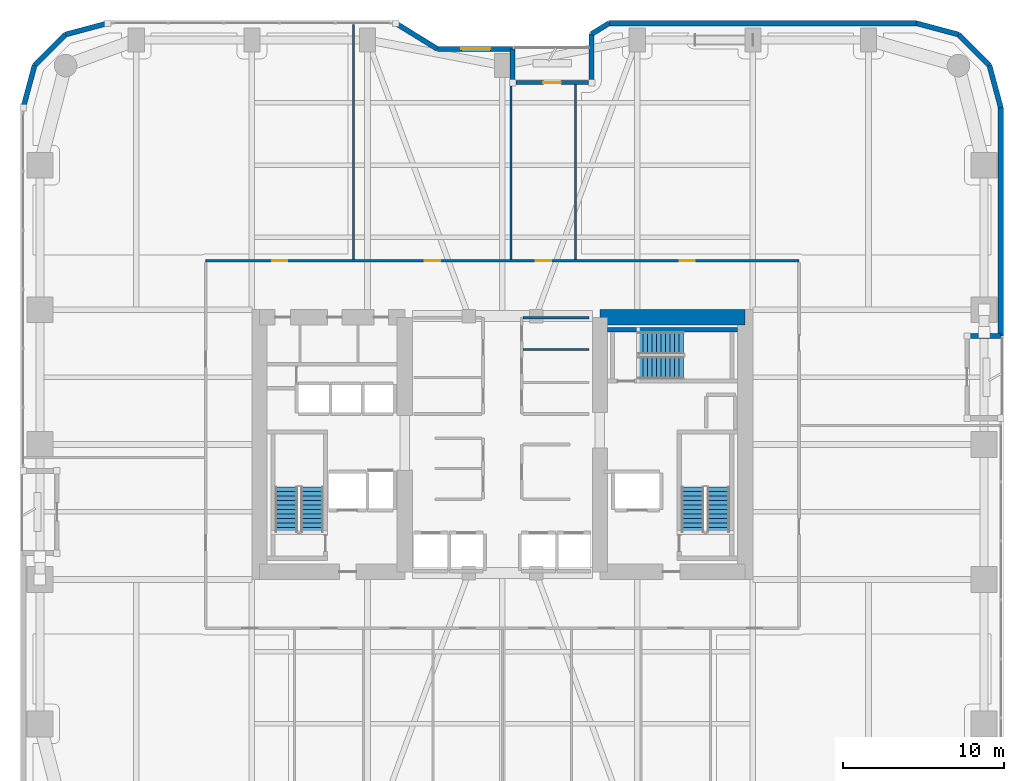
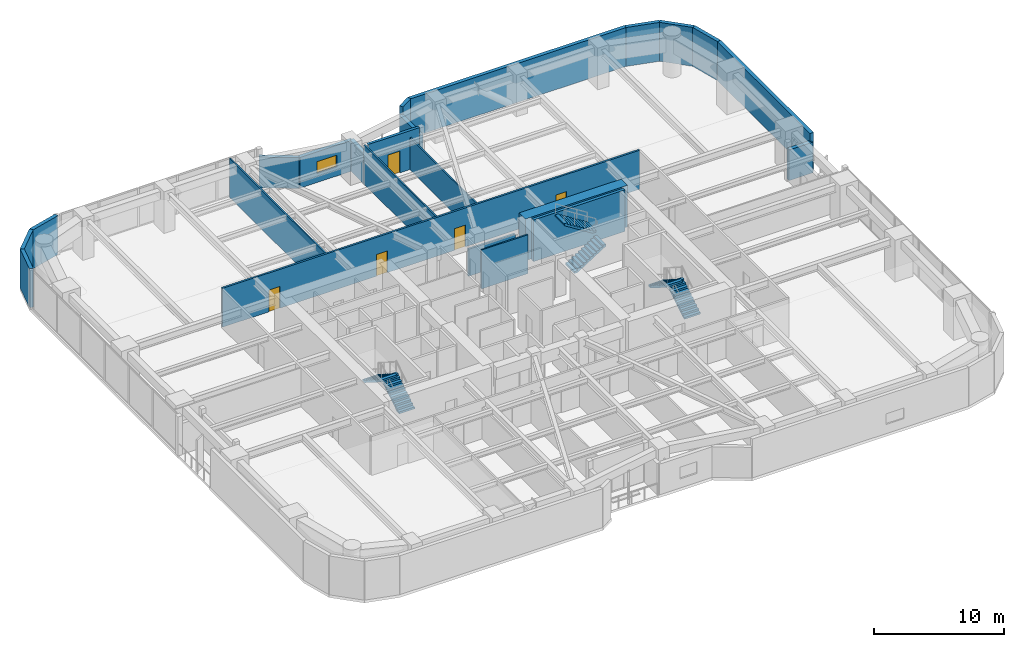
# One storey, part 25 of 28: 23 walls, 6 stair flights, 5 doors, 1 window, 6 openings, 3 elements without a shape of their own.
"""IFC4 building model written with IfcOpenShell, lengths in metres."""

from ifc_helpers import new_model, si_unit, direction, frame, frame_2d, origin, place, context, subcontext, project, spatial, polyline, rectangle, outline, extrude, material, layer, layer_set, type_object, element, fill, aggregate, save


model = new_model("IFC4")

# Units and contexts
model_context = context("Model", 3, precision=1e-05, world=origin(), true_north=direction((0.0, 1.0)))
body_context = subcontext(model_context, "Body", "Model", "MODEL_VIEW")
ifc_project = project(units=[si_unit("LENGTHUNIT", "METRE"), si_unit("AREAUNIT", "SQUARE_METRE"), si_unit("VOLUMEUNIT", "CUBIC_METRE"), si_unit("PLANEANGLEUNIT", "RADIAN"), si_unit("MASSUNIT", "GRAM", prefix="KILO")], contexts=[model_context])

# Site, building, storey
site_placement = place(None, origin())
site = spatial("IfcSite", under=ifc_project, at=site_placement, CompositionType="ELEMENT")
building_placement = place(site_placement, origin())
building = spatial("IfcBuilding", under=site, at=building_placement, Name="Kiyonajd Concourse Tower", CompositionType="ELEMENT")
storey_placement = place(building_placement, frame((0.0, 0.0, 56.699951171875)))
storey = spatial("IfcBuildingStorey", under=building, at=storey_placement, Name="L15", CompositionType="ELEMENT", Elevation=56.699951171875)

# Walls
ifc_material_1 = material(Name="Concrete C80/95", Category="concrete")
ifc_layer_1 = layer(ifc_material_1, 0.949951171875)
ifc_layer_set_1 = layer_set([ifc_layer_1], Name="Concrete C80/95")
wall_type_1 = type_object("IfcWallType", Name="WL-CORE-950", PredefinedType="SHEAR", material=ifc_layer_set_1)
wall_1_placement = place(storey_placement, frame((54.074951171875, 43.925048828125, 0.0), z_axis=(0.0, 0.0, 1.0), x_axis=(1.0, 0.0, 0.0)))
element("IfcWall", 1, at=wall_1_placement, inside=storey, type_object=wall_type_1, Name="L15 East Core North Shear Wall", PredefinedType="SHEAR", context=body_context, shape_type="SweptSolid", body=[
    extrude(rectangle(XDim=9.050048828125, YDim=0.949951171875, at=frame_2d((4.52490234375, 0.0))), origin(), (0.0, 0.0, 1.0), 3.900146484375),
])
ifc_material_2 = material(Name="Precast concrete C50/60", Category="concrete")
ifc_layer_2 = layer(ifc_material_2, 0.320068359375)
ifc_layer_set_2 = layer_set([ifc_layer_2], Name="Precast concrete C50/60")
wall_type_2 = type_object("IfcWallType", Name="WL-EXT-320", PredefinedType="SOLIDWALL", material=ifc_layer_set_2)
wall_2_placement = place(storey_placement, frame((18.159912109375, 56.97900390625, 0.0), z_axis=(0.0, 0.0, 1.0), x_axis=(0.25869736047, 0.965958423373, 0.0)))
element("IfcWall", 2, at=wall_2_placement, inside=storey, type_object=wall_type_2, Name="L15 Exterior Concrete Frame Wall 06", PredefinedType="SOLIDWALL", context=body_context, shape_type="SweptSolid", body=[
    extrude(rectangle(XDim=2.731201171875, YDim=0.320068359375, at=frame_2d((1.36572265625, 0.0))), origin(), (0.0, 0.0, 1.0), 3.64013671875),
])
wall_3_placement = place(storey_placement, frame((18.866455078125, 59.6171875, 0.0), z_axis=(0.0, 0.0, 1.0), x_axis=(0.707106781187, 0.707106781187, 0.0)))
element("IfcWall", 3, at=wall_3_placement, inside=storey, type_object=wall_type_2, Name="L15 Exterior Concrete Frame Wall 07", PredefinedType="SOLIDWALL", context=body_context, shape_type="SweptSolid", body=[
    extrude(rectangle(XDim=2.7099609375, YDim=0.320068359375, at=frame_2d((1.35498046875, 0.0))), origin(), (0.0, 0.0, 1.0), 3.64013671875),
])
wall_4_placement = place(storey_placement, frame((20.78271484375, 61.533447265625, 0.0), z_axis=(0.0, 0.0, 1.0), x_axis=(0.965964405026, 0.25867502435, 0.0)))
element("IfcWall", 4, at=wall_4_placement, inside=storey, type_object=wall_type_2, Name="L15 Exterior Concrete Frame Wall 08", PredefinedType="SOLIDWALL", context=body_context, shape_type="SweptSolid", body=[
    extrude(rectangle(XDim=2.7314453125, YDim=0.320068359375, at=frame_2d((1.36572265625, 0.0))), origin(), (0.0, 0.0, 1.0), 3.64013671875),
])
wall_5_placement = place(storey_placement, frame((41.354736328125, 62.239990234375, 0.0), z_axis=(0.0, 0.0, 1.0), x_axis=(0.851630857047, -0.524142044989, 0.0)))
element("IfcWall", 5, at=wall_5_placement, inside=storey, type_object=wall_type_2, Name="L15 Exterior Concrete Frame Wall 10", PredefinedType="SOLIDWALL", context=body_context, shape_type="SweptSolid", body=[
    extrude(rectangle(XDim=3.052734375, YDim=0.320068359375, at=frame_2d((1.5263671875, 0.0))), origin(), (0.0, 0.0, 1.0), 2.875),
])

# Wall, opening, window
wall_6_placement = place(storey_placement, frame((43.95458984375, 60.639892578125, 0.0), z_axis=(0.0, 0.0, 1.0), x_axis=(1.0, 0.0, 0.0)))
wall_6 = element("IfcWall", 6, at=wall_6_placement, inside=storey, type_object=wall_type_2, Name="L15 Exterior Concrete Frame Wall 11", PredefinedType="SOLIDWALL", context=body_context, shape_type="SweptSolid", body=[
    extrude(rectangle(XDim=4.685302734375, YDim=0.320068359375, at=frame_2d((2.3427734375, 0.0))), origin(), (0.0, 0.0, 1.0), 2.875),
])
opening_1_placement = place(wall_6_placement, frame((1.492919921875, 0.0, 0.85009765625)))
opening_1 = element("IfcOpeningElement", 7, at=opening_1_placement, cuts=wall_6, Name="Opening WN1", PredefinedType="OPENING", context=body_context, shape_type="SweptSolid", body=[
    extrude(rectangle(XDim=1.800048828125, YDim=1.10009765625, at=frame_2d((0.89990234375, 0.550048828125))), frame((0.0, 0.169921875, 0.0), z_axis=(0.0, -1.0, 0.0), x_axis=(1.0, 0.0, 0.0)), (0.0, 0.0, 1.0), 0.340087890625),
])
ifc_material_3 = material(Name="Double Low-E Insulated Glass", Category="glass")
window_type = type_object("IfcWindowType", Name="WN-VIS-1800x1100", PartitioningType="SINGLE_PANEL", PredefinedType="WINDOW", material=ifc_material_3)
window_placement = place(opening_1_placement, origin())
window = element("IfcWindow", 8, at=window_placement, inside=storey, type_object=window_type, Name="L15 Modular Facade Vision Window 11", OverallHeight=1.10009765625, OverallWidth=1.800048828125, PartitioningType="SINGLE_PANEL", PredefinedType="WINDOW", context=body_context, shape_type="SweptSolid", body=[
    extrude(rectangle(XDim=1.800048828125, YDim=1.10009765625, at=frame_2d((0.89990234375, 0.550048828125))), frame((0.0, 0.030029296875, 0.0), z_axis=(0.0, -1.0, 0.0), x_axis=(1.0, 0.0, 0.0)), (0.0, 0.0, 1.0), 0.06005859375),
])
fill(opening_1, window)

# Walls
wall_7_placement = place(storey_placement, frame((48.639892578125, 60.639892578125, 0.0), z_axis=(0.0, 0.0, 1.0), x_axis=(0.0, -1.0, 0.0)))
element("IfcWall", 9, at=wall_7_placement, inside=storey, type_object=wall_type_2, Name="L15 Exterior Concrete Frame Wall 12", PredefinedType="SOLIDWALL", context=body_context, shape_type="SweptSolid", body=[
    extrude(rectangle(XDim=2.099853515625, YDim=0.320068359375, at=frame_2d((1.0498046875, 0.0))), origin(), (0.0, 0.0, 1.0), 2.875),
])
wall_8_placement = place(storey_placement, frame((53.56005859375, 58.5400390625, 0.0), z_axis=(0.0, 0.0, 1.0), x_axis=(0.0, 1.0, 0.0)))
element("IfcWall", 10, at=wall_8_placement, inside=storey, type_object=wall_type_2, Name="L15 Exterior Concrete Frame Wall 14", PredefinedType="SOLIDWALL", context=body_context, shape_type="SweptSolid", body=[
    extrude(rectangle(XDim=3.032470703125, YDim=0.320068359375, at=frame_2d((1.51611328125, 0.0))), origin(), (0.0, 0.0, 1.0), 2.875),
])
wall_9_placement = place(storey_placement, frame((53.56005859375, 61.572509765625, 0.0), z_axis=(0.0, 0.0, 1.0), x_axis=(0.851776724646, 0.523904964045, 0.0)))
element("IfcWall", 11, at=wall_9_placement, inside=storey, type_object=wall_type_2, Name="L15 Exterior Concrete Frame Wall 15", PredefinedType="SOLIDWALL", context=body_context, shape_type="SweptSolid", body=[
    extrude(rectangle(XDim=1.274169921875, YDim=0.320068359375, at=frame_2d((0.63720703125, 0.0))), origin(), (0.0, 0.0, 1.0), 3.64013671875),
])
wall_10_placement = place(storey_placement, frame((54.645263671875, 62.239990234375, 0.0), z_axis=(0.0, 0.0, 1.0), x_axis=(1.0, 0.0, 0.0)))
element("IfcWall", 12, at=wall_10_placement, inside=storey, type_object=wall_type_2, Name="L15 Exterior Concrete Frame Wall 16", PredefinedType="SOLIDWALL", context=body_context, shape_type="SweptSolid", body=[
    extrude(rectangle(XDim=19.133544921875, YDim=0.320068359375, at=frame_2d((9.56689453125, 0.0))), origin(), (0.0, 0.0, 1.0), 3.64013671875),
])
wall_11_placement = place(storey_placement, frame((73.77880859375, 62.239990234375, 0.0), z_axis=(0.0, 0.0, 1.0), x_axis=(0.965964405026, -0.25867502435, 0.0)))
element("IfcWall", 13, at=wall_11_placement, inside=storey, type_object=wall_type_2, Name="L15 Exterior Concrete Frame Wall 17", PredefinedType="SOLIDWALL", context=body_context, shape_type="SweptSolid", body=[
    extrude(rectangle(XDim=2.7314453125, YDim=0.320068359375, at=frame_2d((1.36572265625, 0.0))), origin(), (0.0, 0.0, 1.0), 3.64013671875),
])
wall_12_placement = place(storey_placement, frame((76.417236328125, 61.533447265625, 0.0), z_axis=(0.0, 0.0, 1.0), x_axis=(0.707106781187, -0.707106781187, 0.0)))
element("IfcWall", 14, at=wall_12_placement, inside=storey, type_object=wall_type_2, Name="L15 Exterior Concrete Frame Wall 18", PredefinedType="SOLIDWALL", context=body_context, shape_type="SweptSolid", body=[
    extrude(rectangle(XDim=2.7099609375, YDim=0.320068359375, at=frame_2d((1.35498046875, 0.0))), origin(), (0.0, 0.0, 1.0), 3.64013671875),
])
wall_13_placement = place(storey_placement, frame((78.33349609375, 59.6171875, 0.0), z_axis=(0.0, 0.0, 1.0), x_axis=(0.25869736047, -0.965958423373, 0.0)))
element("IfcWall", 15, at=wall_13_placement, inside=storey, type_object=wall_type_2, Name="L15 Exterior Concrete Frame Wall 19", PredefinedType="SOLIDWALL", context=body_context, shape_type="SweptSolid", body=[
    extrude(rectangle(XDim=2.731201171875, YDim=0.320068359375, at=frame_2d((1.36572265625, 0.0))), origin(), (0.0, 0.0, 1.0), 3.64013671875),
])
wall_14_placement = place(storey_placement, frame((79.0400390625, 56.97900390625, 0.0), z_axis=(0.0, 0.0, 1.0), x_axis=(0.0, -1.0, 0.0)))
element("IfcWall", 16, at=wall_14_placement, inside=storey, type_object=wall_type_2, Name="L15 Exterior Concrete Frame Wall 20", PredefinedType="SOLIDWALL", context=body_context, shape_type="SweptSolid", body=[
    extrude(rectangle(XDim=14.218994140625, YDim=0.320068359375, at=frame_2d((7.109375, 0.0))), origin(), (0.0, 0.0, 1.0), 3.64013671875),
])
wall_15_placement = place(storey_placement, frame((79.0400390625, 42.760009765625, 0.0), z_axis=(0.0, 0.0, 1.0), x_axis=(-1.0, 0.0, 0.0)))
element("IfcWall", 17, at=wall_15_placement, inside=storey, type_object=wall_type_2, Name="L15 Exterior Concrete Frame Wall 21", PredefinedType="SOLIDWALL", context=body_context, shape_type="SweptSolid", body=[
    extrude(rectangle(XDim=2.10009765625, YDim=0.320068359375, at=frame_2d((1.050048828125, 0.0))), origin(), (0.0, 0.0, 1.0), 2.875),
])

# Wall, opening, door
ifc_layer_3 = layer(ifc_material_2, 0.239990234375)
ifc_layer_set_3 = layer_set([ifc_layer_3], Name="Precast concrete C50/60")
wall_type_3 = type_object("IfcWallType", Name="WL-LOG-240", PredefinedType="SOLIDWALL", material=ifc_layer_set_3)
wall_16_placement = place(storey_placement, frame((48.8349609375, 58.5400390625, 0.0), z_axis=(0.0, 0.0, 1.0), x_axis=(1.0, 0.0, 0.0)))
wall_16 = element("IfcWall", 18, at=wall_16_placement, inside=storey, type_object=wall_type_3, Name="L15 Recessed Loggia Thermal Wall LOG-N", PredefinedType="SOLIDWALL", context=body_context, shape_type="SweptSolid", body=[
    extrude(rectangle(XDim=4.530029296875, YDim=0.239990234375, at=frame_2d((2.26513671875, 0.0))), origin(), (0.0, 0.0, 1.0), 3.64013671875),
])
opening_2_placement = place(wall_16_placement, frame((1.715087890625, 0.0, 0.0)))
opening_2 = element("IfcOpeningElement", 19, at=opening_2_placement, cuts=wall_16, Name="Opening DL2", PredefinedType="OPENING", context=body_context, shape_type="SweptSolid", body=[
    extrude(rectangle(XDim=1.10009765625, YDim=2.0400390625, at=frame_2d((0.550048828125, 1.02001953125))), frame((0.0, 0.1298828125, 0.0), z_axis=(0.0, -1.0, 0.0), x_axis=(1.0, 0.0, 0.0)), (0.0, 0.0, 1.0), 0.260009765625),
])
ifc_material_4 = material(Name="Thermally Broken Anodised Aluminium", Category="aluminium")
door_type_1 = type_object("IfcDoorType", Name="DR-LOG-1100", OperationType="NOTDEFINED", PredefinedType="DOOR", material=ifc_material_4)
door_1_placement = place(opening_2_placement, origin())
door_1 = element("IfcDoor", 20, at=door_1_placement, inside=storey, type_object=door_type_1, Name="L15 Engawa Loggia Access Door LOG-N", OperationType="SINGLE_SWING_RIGHT", OverallHeight=2.0400390625, OverallWidth=1.10009765625, PredefinedType="DOOR", context=body_context, shape_type="SweptSolid", body=[
    extrude(rectangle(XDim=1.10009765625, YDim=2.0400390625, at=frame_2d((0.550048828125, 1.02001953125))), frame((0.0, 0.02490234375, 0.0), z_axis=(0.0, -1.0, 0.0), x_axis=(1.0, 0.0, 0.0)), (0.0, 0.0, 1.0), 0.050048828125),
])
fill(opening_2, door_1)

# Walls
ifc_material_5 = material(Name="Gypsum Board on Cold-Formed Steel Stud", Category="steel")
ifc_layer_4 = layer(ifc_material_5, 0.125)
ifc_layer_set_4 = layer_set([ifc_layer_4], Name="Gypsum Board on Cold-Formed Steel Stud")
wall_type_4 = type_object("IfcWallType", Name="WL-PART-125", PredefinedType="PARTITIONING", material=ifc_layer_set_4)
wall_17_placement = place(storey_placement, frame((49.287109375, 41.919921875, 0.0), z_axis=(0.0, 0.0, 1.0), x_axis=(1.0, 0.0, 0.0)))
element("IfcWall", 21, at=wall_17_placement, inside=storey, type_object=wall_type_4, Name="L15 Interior Partition Wall", PredefinedType="PARTITIONING", context=body_context, shape_type="SweptSolid", body=[
    extrude(rectangle(XDim=4.11279296875, YDim=0.125, at=frame_2d((2.056396484375, 0.0))), origin(), (0.0, 0.0, 1.0), 3.64013671875),
])
wall_18_placement = place(storey_placement, frame((38.739990234375, 47.527099609375, 0.0), z_axis=(0.0, 0.0, 1.0), x_axis=(0.0, 1.0, 0.0)))
element("IfcWall", 22, at=wall_18_placement, inside=storey, type_object=wall_type_4, Name="L15 Interior Partition Wall", PredefinedType="PARTITIONING", context=body_context, shape_type="SweptSolid", body=[
    extrude(rectangle(XDim=14.6279296875, YDim=0.125, at=frame_2d((7.31396484375, 0.0))), origin(), (0.0, 0.0, 1.0), 3.64013671875),
])
wall_19_placement = place(storey_placement, frame((48.550048828125, 47.527099609375, 0.0), z_axis=(0.0, 0.0, 1.0), x_axis=(0.0, 1.0, 0.0)))
element("IfcWall", 23, at=wall_19_placement, inside=storey, type_object=wall_type_4, Name="L15 Interior Partition Wall", PredefinedType="PARTITIONING", context=body_context, shape_type="SweptSolid", body=[
    extrude(rectangle(XDim=11.012939453125, YDim=0.125, at=frame_2d((5.50634765625, 0.0))), origin(), (0.0, 0.0, 1.0), 3.64013671875),
])
wall_20_placement = place(storey_placement, frame((52.56005859375, 47.527099609375, 0.0), z_axis=(0.0, 0.0, 1.0), x_axis=(0.0, 1.0, 0.0)))
element("IfcWall", 24, at=wall_20_placement, inside=storey, type_object=wall_type_4, Name="L15 Interior Partition Wall", PredefinedType="PARTITIONING", context=body_context, shape_type="SweptSolid", body=[
    extrude(rectangle(XDim=10.89794921875, YDim=0.125, at=frame_2d((5.448974609375, 0.0))), origin(), (0.0, 0.0, 1.0), 3.0029296875),
])
ifc_layer_5 = layer(ifc_material_5, 0.169921875)
ifc_layer_set_5 = layer_set([ifc_layer_5], Name="Gypsum Board on Cold-Formed Steel Stud")
wall_type_5 = type_object("IfcWallType", Name="WL-SMK-170", PredefinedType="PARTITIONING", material=ifc_layer_set_5)
wall_21_placement = place(storey_placement, frame((49.287109375, 43.89990234375, 0.0), z_axis=(0.0, 0.0, 1.0), x_axis=(1.0, 0.0, 0.0)))
element("IfcWall", 25, at=wall_21_placement, inside=storey, type_object=wall_type_5, Name="L15 Interior Partition Wall", PredefinedType="PARTITIONING", context=body_context, shape_type="SweptSolid", body=[
    extrude(rectangle(XDim=4.11279296875, YDim=0.169921875, at=frame_2d((2.056396484375, 0.0))), origin(), (0.0, 0.0, 1.0), 2.525146484375),
])

# Wall, openings, doors
wall_22_placement = place(storey_placement, frame((29.52490234375, 47.43994140625, 0.0), z_axis=(0.0, 0.0, 1.0), x_axis=(1.0, 0.0, 0.0)))
wall_22 = element("IfcWall", 26, at=wall_22_placement, inside=storey, type_object=wall_type_5, Name="L15 Interior Partition Wall", PredefinedType="PARTITIONING", context=body_context, shape_type="SweptSolid", body=[
    extrude(rectangle(XDim=36.9501953125, YDim=0.169921875, at=frame_2d((18.47509765625, 0.0))), origin(), (0.0, 0.0, 1.0), 3.64013671875),
])
opening_3_placement = place(wall_22_placement, frame((4.133056640625, 0.0, 0.0)))
opening_3 = element("IfcOpeningElement", 27, at=opening_3_placement, cuts=wall_22, Name="Opening DI1", PredefinedType="OPENING", context=body_context, shape_type="SweptSolid", body=[
    extrude(rectangle(XDim=0.949951171875, YDim=2.0400390625, at=frame_2d((0.47509765625, 1.02001953125))), frame((0.0, 0.094970703125, 0.0), z_axis=(0.0, -1.0, 0.0), x_axis=(1.0, 0.0, 0.0)), (0.0, 0.0, 1.0), 0.18994140625),
])
opening_4_placement = place(wall_22_placement, frame((13.64501953125, 0.0, 0.0)))
opening_4 = element("IfcOpeningElement", 28, at=opening_4_placement, cuts=wall_22, Name="Opening DI1", PredefinedType="OPENING", context=body_context, shape_type="SweptSolid", body=[
    extrude(rectangle(XDim=0.949951171875, YDim=2.0400390625, at=frame_2d((0.47509765625, 1.02001953125))), frame((0.0, 0.094970703125, 0.0), z_axis=(0.0, -1.0, 0.0), x_axis=(1.0, 0.0, 0.0)), (0.0, 0.0, 1.0), 0.18994140625),
])
opening_5_placement = place(wall_22_placement, frame((20.554931640625, 0.0, 0.0)))
opening_5 = element("IfcOpeningElement", 29, at=opening_5_placement, cuts=wall_22, Name="Opening DI1", PredefinedType="OPENING", context=body_context, shape_type="SweptSolid", body=[
    extrude(rectangle(XDim=0.949951171875, YDim=2.0400390625, at=frame_2d((0.47509765625, 1.02001953125))), frame((0.0, 0.094970703125, 0.0), z_axis=(0.0, -1.0, 0.0), x_axis=(1.0, 0.0, 0.0)), (0.0, 0.0, 1.0), 0.18994140625),
])
opening_6_placement = place(wall_22_placement, frame((29.51708984375, 0.0, 0.0)))
opening_6 = element("IfcOpeningElement", 30, at=opening_6_placement, cuts=wall_22, Name="Opening DI1", PredefinedType="OPENING", context=body_context, shape_type="SweptSolid", body=[
    extrude(rectangle(XDim=0.949951171875, YDim=2.0400390625, at=frame_2d((0.47509765625, 1.02001953125))), frame((0.0, 0.094970703125, 0.0), z_axis=(0.0, -1.0, 0.0), x_axis=(1.0, 0.0, 0.0)), (0.0, 0.0, 1.0), 0.18994140625),
])
ifc_material_6 = material(Name="Natural Oak Acoustic Timber Veneer", Category="wood")
door_type_2 = type_object("IfcDoorType", Name="DR-INT-950", OperationType="NOTDEFINED", PredefinedType="DOOR", material=ifc_material_6)
door_2_placement = place(opening_3_placement, origin())
door_2 = element("IfcDoor", 31, at=door_2_placement, inside=storey, type_object=door_type_2, Name="L15 Interior Door", OperationType="SINGLE_SWING_LEFT", OverallHeight=2.0400390625, OverallWidth=0.949951171875, PredefinedType="DOOR", context=body_context, shape_type="SweptSolid", body=[
    extrude(rectangle(XDim=0.949951171875, YDim=2.0400390625, at=frame_2d((0.47509765625, 1.02001953125))), frame((0.0, 0.02490234375, 0.0), z_axis=(0.0, -1.0, 0.0), x_axis=(1.0, 0.0, 0.0)), (0.0, 0.0, 1.0), 0.050048828125),
])
fill(opening_3, door_2)
door_3_placement = place(opening_4_placement, origin())
door_3 = element("IfcDoor", 32, at=door_3_placement, inside=storey, type_object=door_type_2, Name="L15 Interior Door", OperationType="SINGLE_SWING_RIGHT", OverallHeight=2.0400390625, OverallWidth=0.949951171875, PredefinedType="DOOR", context=body_context, shape_type="SweptSolid", body=[
    extrude(rectangle(XDim=0.949951171875, YDim=2.0400390625, at=frame_2d((0.47509765625, 1.02001953125))), frame((0.0, 0.02490234375, 0.0), z_axis=(0.0, -1.0, 0.0), x_axis=(1.0, 0.0, 0.0)), (0.0, 0.0, 1.0), 0.050048828125),
])
fill(opening_4, door_3)
door_4_placement = place(opening_5_placement, origin())
door_4 = element("IfcDoor", 33, at=door_4_placement, inside=storey, type_object=door_type_2, Name="L15 Interior Door", OperationType="SINGLE_SWING_LEFT", OverallHeight=2.0400390625, OverallWidth=0.949951171875, PredefinedType="DOOR", context=body_context, shape_type="SweptSolid", body=[
    extrude(rectangle(XDim=0.949951171875, YDim=2.0400390625, at=frame_2d((0.47509765625, 1.02001953125))), frame((0.0, 0.02490234375, 0.0), z_axis=(0.0, -1.0, 0.0), x_axis=(1.0, 0.0, 0.0)), (0.0, 0.0, 1.0), 0.050048828125),
])
fill(opening_5, door_4)
door_5_placement = place(opening_6_placement, origin())
door_5 = element("IfcDoor", 34, at=door_5_placement, inside=storey, type_object=door_type_2, Name="L15 Interior Door", OperationType="SINGLE_SWING_RIGHT", OverallHeight=2.0400390625, OverallWidth=0.949951171875, PredefinedType="DOOR", context=body_context, shape_type="SweptSolid", body=[
    extrude(rectangle(XDim=0.949951171875, YDim=2.0400390625, at=frame_2d((0.47509765625, 1.02001953125))), frame((0.0, 0.02490234375, 0.0), z_axis=(0.0, -1.0, 0.0), x_axis=(1.0, 0.0, 0.0)), (0.0, 0.0, 1.0), 0.050048828125),
])
fill(opening_6, door_5)

# Wall
ifc_material_7 = material(Name="Concrete C50/60", Category="concrete")
ifc_layer_6 = layer(ifc_material_7, 0.260009765625)
ifc_layer_set_6 = layer_set([ifc_layer_6], Name="Concrete C50/60")
wall_type_6 = type_object("IfcWallType", Name="WL-STAIR-260", PredefinedType="SHEAR", material=ifc_layer_set_6)
wall_23_placement = place(storey_placement, frame((54.550048828125, 43.14990234375, 0.0), z_axis=(0.0, 0.0, 1.0), x_axis=(1.0, 0.0, 0.0)))
element("IfcWall", 35, at=wall_23_placement, inside=storey, type_object=wall_type_6, Name="L15 Stair ST3 Structural North Wall", PredefinedType="SHEAR", context=body_context, shape_type="SweptSolid", body=[
    extrude(rectangle(XDim=8.099853515625, YDim=0.260009765625, at=frame_2d((4.0498046875, 0.0))), origin(), (0.0, 0.0, 1.0), 3.900146484375),
])

# Stair, stair flights
ifc_material_8 = material(Name="Concrete C40/50", Category="concrete")
stair_type = type_object("IfcStairType", Name="ST-DLG-22R", PredefinedType="HALF_TURN_STAIR", material=ifc_material_8)
stair_1_placement = place(storey_placement, origin())
stair_1 = element("IfcStair", 36, at=stair_1_placement, inside=storey, type_object=stair_type, Name="L15 Protected Exit Stair ST1", PredefinedType="HALF_TURN_STAIR")
stair_flight_type = type_object("IfcStairFlightType", Name="SF-STR-22R", PredefinedType="STRAIGHT", material=ifc_material_8)
stair_flight_1_placement = place(storey_placement, frame((36.14990234375, 30.550048828125, 0.0), z_axis=(0.0, 0.0, 1.0), x_axis=(0.0, 1.0, 0.0)))
stair_flight_1 = element("IfcStairFlight", 37, at=stair_flight_1_placement, type_object=stair_flight_type, Name="ST1 flight 1", NumberOfRisers=11, NumberOfTreads=10, PredefinedType="STRAIGHT", RiserHeight=0.177272727, TreadLength=0.28, context=body_context, shape_type="SweptSolid", body=[
    extrude(outline(polyline([(0.0, 0.0), (0.0, 0.17724609375), (0.280029296875, 0.17724609375), (0.280029296875, 0.3544921875), (0.56005859375, 0.3544921875), (0.56005859375, 0.53173828125), (0.840087890625, 0.53173828125), (0.840087890625, 0.708984375), (1.1201171875, 0.708984375), (1.1201171875, 0.886474609375), (1.39990234375, 0.886474609375), (1.39990234375, 1.063720703125), (1.679931640625, 1.063720703125), (1.679931640625, 1.240966796875), (1.9599609375, 1.240966796875), (1.9599609375, 1.418212890625), (2.239990234375, 1.418212890625), (2.239990234375, 1.595458984375), (2.52001953125, 1.595458984375), (2.52001953125, 1.772705078125), (2.800048828125, 1.772705078125), (2.800048828125, 1.949951171875), (2.800048828125, 1.59521484375), (0.2802734375, 0.0), (0.0, 0.0)])), frame((0.0, 0.699951171875, 0.0), z_axis=(0.0, -1.0, 0.0), x_axis=(1.0, 0.0, 0.0)), (0.0, 0.0, 1.0), 1.39990234375),
])
stair_flight_2_placement = place(storey_placement, frame((34.550048828125, 33.35009765625, 1.949951171875), z_axis=(0.0, 0.0, 1.0), x_axis=(0.0, -1.0, 0.0)))
stair_flight_2 = element("IfcStairFlight", 38, at=stair_flight_2_placement, type_object=stair_flight_type, Name="ST1 flight 2", NumberOfRisers=11, NumberOfTreads=10, PredefinedType="STRAIGHT", RiserHeight=0.177272727, TreadLength=0.28, context=body_context, shape_type="SweptSolid", body=[
    extrude(outline(polyline([(0.0, 0.0), (0.0, 0.17724609375), (0.280029296875, 0.17724609375), (0.280029296875, 0.3544921875), (0.56005859375, 0.3544921875), (0.56005859375, 0.53173828125), (0.840087890625, 0.53173828125), (0.840087890625, 0.708984375), (1.1201171875, 0.708984375), (1.1201171875, 0.886474609375), (1.39990234375, 0.886474609375), (1.39990234375, 1.063720703125), (1.679931640625, 1.063720703125), (1.679931640625, 1.240966796875), (1.9599609375, 1.240966796875), (1.9599609375, 1.418212890625), (2.239990234375, 1.418212890625), (2.239990234375, 1.595458984375), (2.52001953125, 1.595458984375), (2.52001953125, 1.772705078125), (2.800048828125, 1.772705078125), (2.800048828125, 1.949951171875), (2.800048828125, 1.59521484375), (0.2802734375, 0.0), (0.0, 0.0)])), frame((0.0, 0.699951171875, 0.0), z_axis=(0.0, -1.0, 0.0), x_axis=(1.0, 0.0, 0.0)), (0.0, 0.0, 1.0), 1.39990234375),
])
aggregate(stair_1, [stair_flight_1, stair_flight_2])

stair_2_placement = place(storey_placement, origin())
stair_2 = element("IfcStair", 39, at=stair_2_placement, inside=storey, type_object=stair_type, Name="L15 Protected Exit Stair ST2", PredefinedType="HALF_TURN_STAIR")
stair_flight_3_placement = place(storey_placement, frame((61.449951171875, 30.550048828125, 0.0), z_axis=(0.0, 0.0, 1.0), x_axis=(0.0, 1.0, 0.0)))
stair_flight_3 = element("IfcStairFlight", 40, at=stair_flight_3_placement, type_object=stair_flight_type, Name="ST2 flight 1", NumberOfRisers=11, NumberOfTreads=10, PredefinedType="STRAIGHT", RiserHeight=0.177272727, TreadLength=0.28, context=body_context, shape_type="SweptSolid", body=[
    extrude(outline(polyline([(0.0, 0.0), (0.0, 0.17724609375), (0.280029296875, 0.17724609375), (0.280029296875, 0.3544921875), (0.56005859375, 0.3544921875), (0.56005859375, 0.53173828125), (0.840087890625, 0.53173828125), (0.840087890625, 0.708984375), (1.1201171875, 0.708984375), (1.1201171875, 0.886474609375), (1.39990234375, 0.886474609375), (1.39990234375, 1.063720703125), (1.679931640625, 1.063720703125), (1.679931640625, 1.240966796875), (1.9599609375, 1.240966796875), (1.9599609375, 1.418212890625), (2.239990234375, 1.418212890625), (2.239990234375, 1.595458984375), (2.52001953125, 1.595458984375), (2.52001953125, 1.772705078125), (2.800048828125, 1.772705078125), (2.800048828125, 1.949951171875), (2.800048828125, 1.59521484375), (0.2802734375, 0.0), (0.0, 0.0)])), frame((0.0, 0.699951171875, 0.0), z_axis=(0.0, -1.0, 0.0), x_axis=(1.0, 0.0, 0.0)), (0.0, 0.0, 1.0), 1.39990234375),
])
stair_flight_4_placement = place(storey_placement, frame((59.85009765625, 33.35009765625, 1.949951171875), z_axis=(0.0, 0.0, 1.0), x_axis=(0.0, -1.0, 0.0)))
stair_flight_4 = element("IfcStairFlight", 41, at=stair_flight_4_placement, type_object=stair_flight_type, Name="ST2 flight 2", NumberOfRisers=11, NumberOfTreads=10, PredefinedType="STRAIGHT", RiserHeight=0.177272727, TreadLength=0.28, context=body_context, shape_type="SweptSolid", body=[
    extrude(outline(polyline([(0.0, 0.0), (0.0, 0.17724609375), (0.280029296875, 0.17724609375), (0.280029296875, 0.3544921875), (0.56005859375, 0.3544921875), (0.56005859375, 0.53173828125), (0.840087890625, 0.53173828125), (0.840087890625, 0.708984375), (1.1201171875, 0.708984375), (1.1201171875, 0.886474609375), (1.39990234375, 0.886474609375), (1.39990234375, 1.063720703125), (1.679931640625, 1.063720703125), (1.679931640625, 1.240966796875), (1.9599609375, 1.240966796875), (1.9599609375, 1.418212890625), (2.239990234375, 1.418212890625), (2.239990234375, 1.595458984375), (2.52001953125, 1.595458984375), (2.52001953125, 1.772705078125), (2.800048828125, 1.772705078125), (2.800048828125, 1.949951171875), (2.800048828125, 1.59521484375), (0.2802734375, 0.0), (0.0, 0.0)])), frame((0.0, 0.699951171875, 0.0), z_axis=(0.0, -1.0, 0.0), x_axis=(1.0, 0.0, 0.0)), (0.0, 0.0, 1.0), 1.39990234375),
])
aggregate(stair_2, [stair_flight_3, stair_flight_4])

stair_3_placement = place(storey_placement, origin())
stair_3 = element("IfcStair", 42, at=stair_3_placement, inside=storey, type_object=stair_type, Name="L15 Protected Exit Stair ST3", PredefinedType="HALF_TURN_STAIR")
stair_flight_5_placement = place(storey_placement, frame((56.47998046875, 40.780029296875, 0.0), z_axis=(0.0, 0.0, 1.0), x_axis=(1.0, 0.0, 0.0)))
stair_flight_5 = element("IfcStairFlight", 43, at=stair_flight_5_placement, type_object=stair_flight_type, Name="ST3 flight 1", NumberOfRisers=11, NumberOfTreads=10, PredefinedType="STRAIGHT", RiserHeight=0.177272727, TreadLength=0.28, context=body_context, shape_type="SweptSolid", body=[
    extrude(outline(polyline([(0.0, 0.0), (0.0, 0.17724609375), (0.280029296875, 0.17724609375), (0.280029296875, 0.3544921875), (0.56005859375, 0.3544921875), (0.56005859375, 0.53173828125), (0.840087890625, 0.53173828125), (0.840087890625, 0.708984375), (1.1201171875, 0.708984375), (1.1201171875, 0.886474609375), (1.39990234375, 0.886474609375), (1.39990234375, 1.063720703125), (1.679931640625, 1.063720703125), (1.679931640625, 1.240966796875), (1.9599609375, 1.240966796875), (1.9599609375, 1.418212890625), (2.239990234375, 1.418212890625), (2.239990234375, 1.595458984375), (2.52001953125, 1.595458984375), (2.52001953125, 1.772705078125), (2.800048828125, 1.772705078125), (2.800048828125, 1.949951171875), (2.800048828125, 1.59521484375), (0.2802734375, 0.0), (0.0, 0.0)])), frame((0.0, 0.699951171875, 0.0), z_axis=(0.0, -1.0, 0.0), x_axis=(1.0, 0.0, 0.0)), (0.0, 0.0, 1.0), 1.39990234375),
])
stair_flight_6_placement = place(storey_placement, frame((59.280029296875, 42.320068359375, 1.949951171875), z_axis=(0.0, 0.0, 1.0), x_axis=(-1.0, 0.0, 0.0)))
stair_flight_6 = element("IfcStairFlight", 44, at=stair_flight_6_placement, type_object=stair_flight_type, Name="ST3 flight 2", NumberOfRisers=11, NumberOfTreads=10, PredefinedType="STRAIGHT", RiserHeight=0.177272727, TreadLength=0.28, context=body_context, shape_type="SweptSolid", body=[
    extrude(outline(polyline([(0.0, 0.0), (0.0, 0.17724609375), (0.280029296875, 0.17724609375), (0.280029296875, 0.3544921875), (0.56005859375, 0.3544921875), (0.56005859375, 0.53173828125), (0.840087890625, 0.53173828125), (0.840087890625, 0.708984375), (1.1201171875, 0.708984375), (1.1201171875, 0.886474609375), (1.39990234375, 0.886474609375), (1.39990234375, 1.063720703125), (1.679931640625, 1.063720703125), (1.679931640625, 1.240966796875), (1.9599609375, 1.240966796875), (1.9599609375, 1.418212890625), (2.239990234375, 1.418212890625), (2.239990234375, 1.595458984375), (2.52001953125, 1.595458984375), (2.52001953125, 1.772705078125), (2.800048828125, 1.772705078125), (2.800048828125, 1.949951171875), (2.800048828125, 1.59521484375), (0.2802734375, 0.0), (0.0, 0.0)])), frame((0.0, 0.699951171875, 0.0), z_axis=(0.0, -1.0, 0.0), x_axis=(1.0, 0.0, 0.0)), (0.0, 0.0, 1.0), 1.39990234375),
])
aggregate(stair_3, [stair_flight_5, stair_flight_6])

save(model, "model.ifc")
